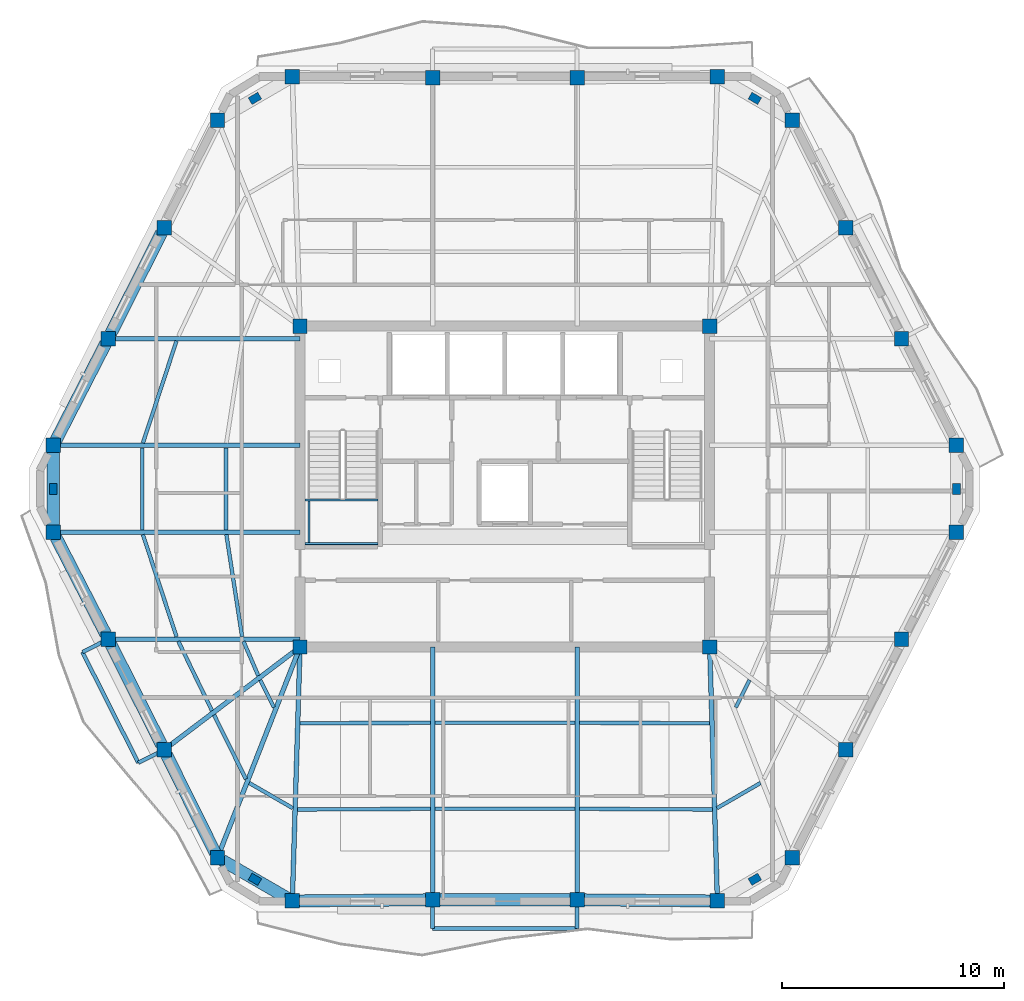
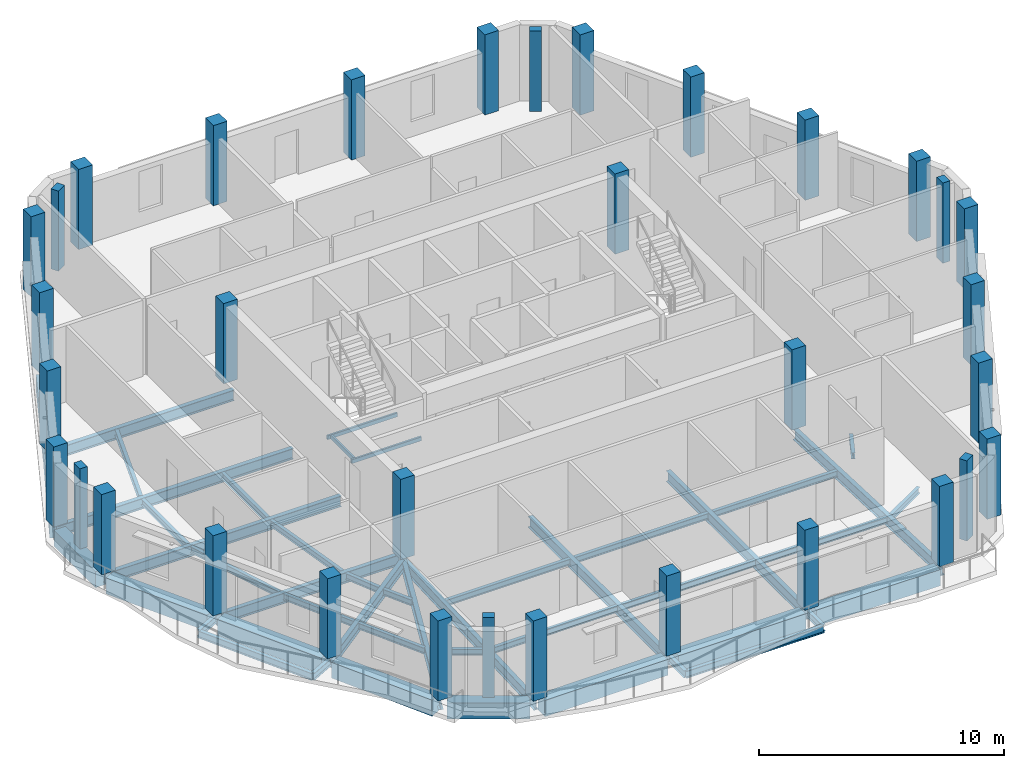
# One storey, part 1 of 10: 47 beams, 34 columns.
"""IFC4 building model written with IfcOpenShell, lengths in metres."""

from ifc_helpers import new_model, si_unit, direction, frame, origin, origin_2d, place, context, subcontext, project, spatial, rectangle, hollow_rectangle, i_section, extrude, material, material_profile, profile_set, type_object, element, save


model = new_model("IFC4")

# Units and contexts
model_context = context("Model", 3, precision=1e-05, world=origin(), true_north=direction((0.0, 1.0)))
body_context = subcontext(model_context, "Body", "Model", "MODEL_VIEW")
ifc_project = project(units=[si_unit("LENGTHUNIT", "METRE"), si_unit("AREAUNIT", "SQUARE_METRE"), si_unit("VOLUMEUNIT", "CUBIC_METRE"), si_unit("PLANEANGLEUNIT", "RADIAN"), si_unit("MASSUNIT", "GRAM", prefix="KILO")], contexts=[model_context])

# Site, building, storey
site_placement = place(None, origin())
site = spatial("IfcSite", under=ifc_project, at=site_placement, CompositionType="ELEMENT")
building_placement = place(site_placement, origin())
building = spatial("IfcBuilding", under=site, at=building_placement, Name="Cinnabar Lancet Tower", CompositionType="ELEMENT")
storey_placement = place(building_placement, frame((0.0, 0.0, 287.5)))
storey = spatial("IfcBuildingStorey", under=building, at=storey_placement, Name="L76", CompositionType="ELEMENT", Elevation=287.5)

# Columns
ifc_material_1 = material(Name="Concrete C50/60", Category="concrete")
ifc_material_profile_1 = material_profile(ifc_material_1, rectangle(XDim=0.64990234375, YDim=0.64990234375, at=origin_2d()), Name="RC-COL 650x650")
ifc_profile_set_1 = profile_set([ifc_material_profile_1], Name="Concrete C50/60")
column_type_1 = type_object("IfcColumnType", Name="STR-COL-CORE-650B", PredefinedType="COLUMN", material=ifc_profile_set_1)
for number, where, z_axis, x_axis, name in (
    (1, (23.175048828125, 18.675048828125, 0.0), (0.0, 0.0, 1.0), (1.0, 0.0, 0.0), "L76 Core Corner Column SW"),
    (2, (41.625, 18.675048828125, 0.0), (0.0, 0.0, 1.0), (1.0, 0.0, 0.0), "L76 Core Corner Column SE"),
    (3, (41.625, 33.125, 0.0), (0.0, 0.0, 1.0), (1.0, 0.0, 0.0), "L76 Core Corner Column NE"),
    (4, (23.175048828125, 33.125, 0.0), (0.0, 0.0, 1.0), (1.0, 0.0, 0.0), "L76 Core Corner Column NW"),
):
    element("IfcColumn", number, at=place(storey_placement, frame(where, z_axis=z_axis, x_axis=x_axis)), inside=storey, type_object=column_type_1, Name=name, PredefinedType="COLUMN", context=body_context, shape_type="SweptSolid", body=[
        extrude(rectangle(XDim=0.64990234375, YDim=0.64990234375, at=origin_2d()), origin(), (0.0, 0.0, 1.0), 4.0),
    ])
ifc_material_2 = material(Name="Concrete C60/75", Category="concrete")
ifc_material_profile_2 = material_profile(ifc_material_2, rectangle(XDim=0.5, YDim=0.35009765625, at=origin_2d()), Name="RC-PIL 500x350")
ifc_profile_set_2 = profile_set([ifc_material_profile_2], Name="Concrete C60/75")
column_type_2 = type_object("IfcColumnType", Name="STR-COL-PIL-500", PredefinedType="PILASTER", material=ifc_profile_set_2)
for number, where, z_axis, x_axis, name in (
    (5, (21.14306640625, 8.215087890625, 0.0), (0.0, 0.0, 1.0), (0.865256437757, -0.501329529272, 0.0), "L76 Chamfered Corner Pilaster 1"),
    (6, (43.656982421875, 8.215087890625, 0.0), (0.0, 0.0, 1.0), (0.865256437757, 0.501329529272, 0.0), "L76 Chamfered Corner Pilaster 2"),
    (7, (52.737060546875, 25.800048828125, 0.0), (0.0, 0.0, 1.0), (0.0, 1.0, 0.0), "L76 Chamfered Corner Pilaster 3"),
    (8, (43.656982421875, 43.385009765625, 0.0), (0.0, 0.0, 1.0), (-0.865256437757, 0.501329529272, 0.0), "L76 Chamfered Corner Pilaster 4"),
    (9, (21.14306640625, 43.385009765625, 0.0), (0.0, 0.0, 1.0), (-0.865256437757, -0.501329529272, 0.0), "L76 Chamfered Corner Pilaster 5"),
    (10, (12.06298828125, 25.800048828125, 0.0), (0.0, 0.0, 1.0), (0.0, -1.0, 0.0), "L76 Chamfered Corner Pilaster 6"),
):
    element("IfcColumn", number, at=place(storey_placement, frame(where, z_axis=z_axis, x_axis=x_axis)), inside=storey, type_object=column_type_2, Name=name, PredefinedType="PILASTER", context=body_context, shape_type="SweptSolid", body=[
        extrude(rectangle(XDim=0.5, YDim=0.35009765625, at=origin_2d()), origin(), (0.0, 0.0, 1.0), 4.0),
    ])
ifc_material_3 = material(Name="Concrete C50/60", Category="concrete")
ifc_material_profile_3 = material_profile(ifc_material_3, rectangle(XDim=0.64990234375, YDim=0.64990234375, at=origin_2d()), Name="RC-COL 650x650")
ifc_profile_set_3 = profile_set([ifc_material_profile_3], Name="Concrete C50/60")
column_type_3 = type_object("IfcColumnType", Name="STR-COL-TUBE-650", PredefinedType="COLUMN", material=ifc_profile_set_3)
for number, where, z_axis, x_axis, name in (
    (11, (22.827880859375, 7.239013671875, 0.0), (0.0, 0.0, 1.0), (1.0, 0.0, 0.0), "L76 Perimeter Tube Column 1"),
    (12, (29.14599609375, 7.2919921875, 0.0), (0.0, 0.0, 1.0), (1.0, 0.0, 0.0), "L76 Perimeter Tube Column 2"),
    (13, (35.654052734375, 7.2919921875, 0.0), (0.0, 0.0, 1.0), (1.0, 0.0, 0.0), "L76 Perimeter Tube Column 3"),
    (14, (41.971923828125, 7.239013671875, 0.0), (0.0, 0.0, 1.0), (1.0, 0.0, 0.0), "L76 Perimeter Tube Column 4"),
    (15, (45.341064453125, 9.19091796875, 0.0), (0.0, 0.0, 1.0), (1.0, 0.0, 0.0), "L76 Perimeter Tube Column 5"),
    (16, (47.7490234375, 14.0458984375, 0.0), (0.0, 0.0, 1.0), (1.0, 0.0, 0.0), "L76 Perimeter Tube Column 6"),
    (17, (50.263916015625, 19.032958984375, 0.0), (0.0, 0.0, 1.0), (1.0, 0.0, 0.0), "L76 Perimeter Tube Column 7"),
    (18, (52.737060546875, 23.844970703125, 0.0), (0.0, 0.0, 1.0), (1.0, 0.0, 0.0), "L76 Perimeter Tube Column 8"),
    (19, (52.737060546875, 27.7548828125, 0.0), (0.0, 0.0, 1.0), (1.0, 0.0, 0.0), "L76 Perimeter Tube Column 9"),
    (20, (50.263916015625, 32.56689453125, 0.0), (0.0, 0.0, 1.0), (1.0, 0.0, 0.0), "L76 Perimeter Tube Column 10"),
    (21, (47.7490234375, 37.553955078125, 0.0), (0.0, 0.0, 1.0), (1.0, 0.0, 0.0), "L76 Perimeter Tube Column 11"),
    (22, (45.341064453125, 42.408935546875, 0.0), (0.0, 0.0, 1.0), (1.0, 0.0, 0.0), "L76 Perimeter Tube Column 12"),
    (23, (41.971923828125, 44.361083984375, 0.0), (0.0, 0.0, 1.0), (1.0, 0.0, 0.0), "L76 Perimeter Tube Column 13"),
    (24, (35.654052734375, 44.30810546875, 0.0), (0.0, 0.0, 1.0), (1.0, 0.0, 0.0), "L76 Perimeter Tube Column 14"),
    (25, (29.14599609375, 44.30810546875, 0.0), (0.0, 0.0, 1.0), (1.0, 0.0, 0.0), "L76 Perimeter Tube Column 15"),
    (26, (22.827880859375, 44.361083984375, 0.0), (0.0, 0.0, 1.0), (1.0, 0.0, 0.0), "L76 Perimeter Tube Column 16"),
    (27, (19.458984375, 42.408935546875, 0.0), (0.0, 0.0, 1.0), (1.0, 0.0, 0.0), "L76 Perimeter Tube Column 17"),
    (28, (17.051025390625, 37.553955078125, 0.0), (0.0, 0.0, 1.0), (1.0, 0.0, 0.0), "L76 Perimeter Tube Column 18"),
    (29, (14.535888671875, 32.56689453125, 0.0), (0.0, 0.0, 1.0), (1.0, 0.0, 0.0), "L76 Perimeter Tube Column 19"),
    (30, (12.06298828125, 27.7548828125, 0.0), (0.0, 0.0, 1.0), (1.0, 0.0, 0.0), "L76 Perimeter Tube Column 20"),
    (31, (12.06298828125, 23.844970703125, 0.0), (0.0, 0.0, 1.0), (1.0, 0.0, 0.0), "L76 Perimeter Tube Column 21"),
    (32, (14.535888671875, 19.032958984375, 0.0), (0.0, 0.0, 1.0), (1.0, 0.0, 0.0), "L76 Perimeter Tube Column 22"),
    (33, (17.051025390625, 14.0458984375, 0.0), (0.0, 0.0, 1.0), (1.0, 0.0, 0.0), "L76 Perimeter Tube Column 23"),
    (34, (19.458984375, 9.19091796875, 0.0), (0.0, 0.0, 1.0), (1.0, 0.0, 0.0), "L76 Perimeter Tube Column 24"),
):
    element("IfcColumn", number, at=place(storey_placement, frame(where, z_axis=z_axis, x_axis=x_axis)), inside=storey, type_object=column_type_3, Name=name, PredefinedType="COLUMN", context=body_context, shape_type="SweptSolid", body=[
        extrude(rectangle(XDim=0.64990234375, YDim=0.64990234375, at=origin_2d()), origin(), (0.0, 0.0, 1.0), 4.0),
    ])

# Beams
ifc_material_4 = material(Name="Structural steel S355", Category="steel")
ifc_material_profile_4 = material_profile(ifc_material_4, i_section(OverallWidth=0.1650390625, OverallDepth=0.303466796875, WebThickness=0.006103515625, FlangeThickness=0.01025390625, FilletRadius=0.0087890625, at=origin_2d()), Name="UKB 305x165x40")
ifc_profile_set_4 = profile_set([ifc_material_profile_4], Name="Structural steel S355")
beam_type_1 = type_object("IfcBeamType", Name="STR-BM-JST-305", PredefinedType="JOIST", material=ifc_profile_set_4)
beam_1_placement = place(storey_placement, frame((16.097900390625, 23.739990234375, -0.35205078125), z_axis=(0.312536616989, -0.949905712711, 0.0), x_axis=(0.949905712711, 0.312536616989, 0.0)))
element("IfcBeam", 35, at=beam_1_placement, inside=storey, type_object=beam_type_1, Name="L76 Secondary Floor Joist 1", PredefinedType="JOIST", context=body_context, shape_type="SweptSolid", body=[
    extrude(i_section(OverallWidth=0.1650390625, OverallDepth=0.303466796875, WebThickness=0.006103515625, FlangeThickness=0.01025390625, FilletRadius=0.0087890625, at=origin_2d()), origin(), (0.0, 0.0, 1.0), 4.8447265625),
])
beam_2_placement = place(storey_placement, frame((19.85791015625, 23.739990234375, -0.35205078125), z_axis=(0.152262059154, -0.988340156698, 0.0), x_axis=(0.988340156698, 0.152262059154, 0.0)))
element("IfcBeam", 36, at=beam_2_placement, inside=storey, type_object=beam_type_1, Name="L76 Secondary Floor Joist 2", PredefinedType="JOIST", context=body_context, shape_type="SweptSolid", body=[
    extrude(i_section(OverallWidth=0.1650390625, OverallDepth=0.303466796875, WebThickness=0.006103515625, FlangeThickness=0.01025390625, FilletRadius=0.0087890625, at=origin_2d()), origin(), (0.0, 0.0, 1.0), 4.65625),
])
beam_3_placement = place(storey_placement, frame((17.697021484375, 18.927978515625, -0.35205078125), z_axis=(0.43610936109, -0.899893674369, 0.0), x_axis=(0.899893674369, 0.43610936109, 0.0)))
element("IfcBeam", 37, at=beam_3_placement, inside=storey, type_object=beam_type_1, Name="L76 Secondary Floor Joist 3", PredefinedType="JOIST", context=body_context, shape_type="SweptSolid", body=[
    extrude(i_section(OverallWidth=0.1650390625, OverallDepth=0.303466796875, WebThickness=0.006103515625, FlangeThickness=0.01025390625, FilletRadius=0.0087890625, at=origin_2d()), origin(), (0.0, 0.0, 1.0), 3.467041015625),
])
beam_4_placement = place(storey_placement, frame((20.62890625, 18.927978515625, -0.35205078125), z_axis=(0.396302440144, -0.91812002262, 0.0), x_axis=(0.91812002262, 0.396302440144, 0.0)))
element("IfcBeam", 38, at=beam_4_placement, inside=storey, type_object=beam_type_1, Name="L76 Secondary Floor Joist 4", PredefinedType="JOIST", context=body_context, shape_type="SweptSolid", body=[
    extrude(i_section(OverallWidth=0.1650390625, OverallDepth=0.303466796875, WebThickness=0.006103515625, FlangeThickness=0.01025390625, FilletRadius=0.0087890625, at=origin_2d()), origin(), (0.0, 0.0, 1.0), 1.6806640625),
])
beam_5_placement = place(storey_placement, frame((19.302978515625, 15.616943359375, -0.35205078125), z_axis=(0.444330443712, -0.895862967641, 0.0), x_axis=(0.895862967641, 0.444330443712, 0.0)))
element("IfcBeam", 39, at=beam_5_placement, inside=storey, type_object=beam_type_1, Name="L76 Secondary Floor Joist 5", PredefinedType="JOIST", context=body_context, shape_type="SweptSolid", body=[
    extrude(i_section(OverallWidth=0.1650390625, OverallDepth=0.303466796875, WebThickness=0.006103515625, FlangeThickness=0.01025390625, FilletRadius=0.0087890625, at=origin_2d()), origin(), (0.0, 0.0, 1.0), 3.220458984375),
])
beam_6_placement = place(storey_placement, frame((21.385009765625, 17.19091796875, -0.35205078125), z_axis=(0.444093192127, -0.89598060063, 0.0), x_axis=(0.89598060063, 0.444093192127, 0.0)))
element("IfcBeam", 40, at=beam_6_placement, inside=storey, type_object=beam_type_1, Name="L76 Secondary Floor Joist 6", PredefinedType="JOIST", context=body_context, shape_type="SweptSolid", body=[
    extrude(i_section(OverallWidth=0.1650390625, OverallDepth=0.303466796875, WebThickness=0.006103515625, FlangeThickness=0.01025390625, FilletRadius=0.0087890625, at=origin_2d()), origin(), (0.0, 0.0, 1.0), 1.378173828125),
])
beam_7_placement = place(storey_placement, frame((20.887939453125, 12.552001953125, -0.35205078125), z_axis=(0.865426285481, -0.501036270542, 0.0), x_axis=(0.501036270542, 0.865426285481, 0.0)))
element("IfcBeam", 41, at=beam_7_placement, inside=storey, type_object=beam_type_1, Name="L76 Secondary Floor Joist 7", PredefinedType="JOIST", context=body_context, shape_type="SweptSolid", body=[
    extrude(i_section(OverallWidth=0.1650390625, OverallDepth=0.303466796875, WebThickness=0.006103515625, FlangeThickness=0.01025390625, FilletRadius=0.0087890625, at=origin_2d()), origin(), (0.0, 0.0, 1.0), 2.267333984375),
])
beam_8_placement = place(storey_placement, frame((23.05810546875, 11.35693359375, -0.35205078125), z_axis=(0.999985712428, 0.005345553266, 0.0), x_axis=(-0.005345553266, 0.999985712428, 0.0)))
element("IfcBeam", 42, at=beam_8_placement, inside=storey, type_object=beam_type_1, Name="L76 Secondary Floor Joist 8", PredefinedType="JOIST", context=body_context, shape_type="SweptSolid", body=[
    extrude(i_section(OverallWidth=0.1650390625, OverallDepth=0.303466796875, WebThickness=0.006103515625, FlangeThickness=0.01025390625, FilletRadius=0.0087890625, at=origin_2d()), origin(), (0.0, 0.0, 1.0), 5.98291015625),
])
beam_9_placement = place(storey_placement, frame((23.176025390625, 15.243896484375, -0.35205078125), z_axis=(0.999996226008, 0.002747356738, 0.0), x_axis=(-0.002747356738, 0.999996226008, 0.0)))
element("IfcBeam", 43, at=beam_9_placement, inside=storey, type_object=beam_type_1, Name="L76 Secondary Floor Joist 9", PredefinedType="JOIST", context=body_context, shape_type="SweptSolid", body=[
    extrude(i_section(OverallWidth=0.1650390625, OverallDepth=0.303466796875, WebThickness=0.006103515625, FlangeThickness=0.01025390625, FilletRadius=0.0087890625, at=origin_2d()), origin(), (0.0, 0.0, 1.0), 5.864990234375),
])
for number, where, z_axis, x_axis, name in (
    (44, (29.2509765625, 11.389892578125, -0.35205078125), (1.0, 0.0, 0.0), (0.0, 1.0, 0.0), "L76 Secondary Floor Joist 10"),
    (45, (29.2509765625, 15.260009765625, -0.35205078125), (1.0, 0.0, 0.0), (0.0, 1.0, 0.0), "L76 Secondary Floor Joist 11"),
):
    element("IfcBeam", number, at=place(storey_placement, frame(where, z_axis=z_axis, x_axis=x_axis)), inside=storey, type_object=beam_type_1, Name=name, PredefinedType="JOIST", context=body_context, shape_type="SweptSolid", body=[
        extrude(i_section(OverallWidth=0.1650390625, OverallDepth=0.303466796875, WebThickness=0.006103515625, FlangeThickness=0.01025390625, FilletRadius=0.0087890625, at=origin_2d()), origin(), (0.0, 0.0, 1.0), 6.298095703125),
    ])
beam_10_placement = place(storey_placement, frame((35.759033203125, 11.388916015625, -0.35205078125), z_axis=(0.999985712428, -0.005345553266, 0.0), x_axis=(0.005345553266, 0.999985712428, 0.0)))
element("IfcBeam", 46, at=beam_10_placement, inside=storey, type_object=beam_type_1, Name="L76 Secondary Floor Joist 12", PredefinedType="JOIST", context=body_context, shape_type="SweptSolid", body=[
    extrude(i_section(OverallWidth=0.1650390625, OverallDepth=0.303466796875, WebThickness=0.006103515625, FlangeThickness=0.01025390625, FilletRadius=0.0087890625, at=origin_2d()), origin(), (0.0, 0.0, 1.0), 5.98291015625),
])
beam_11_placement = place(storey_placement, frame((35.759033203125, 15.260009765625, -0.35205078125), z_axis=(0.999996226008, -0.002747356738, 0.0), x_axis=(0.002747356738, 0.999996226008, 0.0)))
element("IfcBeam", 47, at=beam_11_placement, inside=storey, type_object=beam_type_1, Name="L76 Secondary Floor Joist 13", PredefinedType="JOIST", context=body_context, shape_type="SweptSolid", body=[
    extrude(i_section(OverallWidth=0.1650390625, OverallDepth=0.303466796875, WebThickness=0.006103515625, FlangeThickness=0.01025390625, FilletRadius=0.0087890625, at=origin_2d()), origin(), (0.0, 0.0, 1.0), 5.864990234375),
])
beam_12_placement = place(storey_placement, frame((41.949951171875, 11.416015625, -0.35205078125), z_axis=(0.865426285481, 0.501036270542, 0.0), x_axis=(-0.501036270542, 0.865426285481, 0.0)))
element("IfcBeam", 48, at=beam_12_placement, inside=storey, type_object=beam_type_1, Name="L76 Secondary Floor Joist 14", PredefinedType="JOIST", context=body_context, shape_type="SweptSolid", body=[
    extrude(i_section(OverallWidth=0.1650390625, OverallDepth=0.303466796875, WebThickness=0.006103515625, FlangeThickness=0.01025390625, FilletRadius=0.0087890625, at=origin_2d()), origin(), (0.0, 0.0, 1.0), 2.267333984375),
])
beam_13_placement = place(storey_placement, frame((42.802978515625, 15.9560546875, -0.35205078125), z_axis=(0.444093192127, 0.89598060063, 0.0), x_axis=(-0.89598060063, 0.444093192127, 0.0)))
element("IfcBeam", 49, at=beam_13_placement, inside=storey, type_object=beam_type_1, Name="L76 Secondary Floor Joist 16", PredefinedType="JOIST", context=body_context, shape_type="SweptSolid", body=[
    extrude(i_section(OverallWidth=0.1650390625, OverallDepth=0.303466796875, WebThickness=0.006103515625, FlangeThickness=0.01025390625, FilletRadius=0.0087890625, at=origin_2d()), origin(), (0.0, 0.0, 1.0), 1.378173828125),
])
beam_14_placement = place(storey_placement, frame((17.612060546875, 32.4619140625, -0.35205078125), z_axis=(-0.312551578319, -0.949900790025, 0.0), x_axis=(0.949900790025, -0.312551578319, 0.0)))
element("IfcBeam", 50, at=beam_14_placement, inside=storey, type_object=beam_type_1, Name="L76 Secondary Floor Joist 41", PredefinedType="JOIST", context=body_context, shape_type="SweptSolid", body=[
    extrude(i_section(OverallWidth=0.1650390625, OverallDepth=0.303466796875, WebThickness=0.006103515625, FlangeThickness=0.01025390625, FilletRadius=0.0087890625, at=origin_2d()), origin(), (0.0, 0.0, 1.0), 4.844482421875),
])
for number, where, z_axis, x_axis, name in (
    (51, (16.06298828125, 27.64990234375, -0.35205078125), (0.0, -1.0, 0.0), (1.0, 0.0, 0.0), "L76 Secondary Floor Joist 43"),
    (52, (19.841064453125, 27.64990234375, -0.35205078125), (0.0, -1.0, 0.0), (1.0, 0.0, 0.0), "L76 Secondary Floor Joist 44"),
):
    element("IfcBeam", number, at=place(storey_placement, frame(where, z_axis=z_axis, x_axis=x_axis)), inside=storey, type_object=beam_type_1, Name=name, PredefinedType="JOIST", context=body_context, shape_type="SweptSolid", body=[
        extrude(i_section(OverallWidth=0.1650390625, OverallDepth=0.303466796875, WebThickness=0.006103515625, FlangeThickness=0.01025390625, FilletRadius=0.0087890625, at=origin_2d()), origin(), (0.0, 0.0, 1.0), 3.699951171875),
    ])
ifc_material_5 = material(Name="Structural steel S355", Category="steel")
ifc_material_profile_5 = material_profile(ifc_material_5, hollow_rectangle(XDim=0.10009765625, YDim=0.199951171875, WallThickness=0.008056640625, InnerFilletRadius=0.00390625, OuterFilletRadius=0.011962890625, at=origin_2d()), Name="RHS 200x100x8")
ifc_profile_set_5 = profile_set([ifc_material_profile_5], Name="Structural steel S355")
beam_type_2 = type_object("IfcBeamType", Name="STR-BM-LND-203", PredefinedType="BEAM", material=ifc_profile_set_5)
for number, where, z_axis, x_axis, name in (
    (53, (23.39990234375, 23.330078125, 1.699951171875), (1.0, 0.0, 0.0), (0.0, 1.0, 0.0), "L76 ST-1-L76 Landing Support Beam S"),
    (54, (23.39990234375, 25.294921875, 1.699951171875), (1.0, 0.0, 0.0), (0.0, 1.0, 0.0), "L76 ST-1-L76 Landing Support Beam N"),
):
    element("IfcBeam", number, at=place(storey_placement, frame(where, z_axis=z_axis, x_axis=x_axis)), inside=storey, type_object=beam_type_2, Name=name, PredefinedType="BEAM", context=body_context, shape_type="SweptSolid", body=[
        extrude(hollow_rectangle(XDim=0.10009765625, YDim=0.199951171875, WallThickness=0.008056640625, InnerFilletRadius=0.00390625, OuterFilletRadius=0.011962890625, at=origin_2d()), origin(), (0.0, 0.0, 1.0), 3.280029296875),
    ])
beam_15_placement = place(storey_placement, frame((23.580078125, 23.3798828125, 1.699951171875), z_axis=(0.0, 1.0, 0.0), x_axis=(-1.0, 0.0, 0.0)))
element("IfcBeam", 55, at=beam_15_placement, inside=storey, type_object=beam_type_2, Name="L76 ST-1-L76 Landing Side Trimmer Beam", PredefinedType="BEAM", context=body_context, shape_type="SweptSolid", body=[
    extrude(hollow_rectangle(XDim=0.10009765625, YDim=0.199951171875, WallThickness=0.008056640625, InnerFilletRadius=0.00390625, OuterFilletRadius=0.011962890625, at=origin_2d()), origin(), (0.0, 0.0, 1.0), 1.865234375),
])
ifc_material_6 = material(Name="Concrete C50/60", Category="concrete")
ifc_material_profile_6 = material_profile(ifc_material_6, rectangle(XDim=0.550048828125, YDim=0.800048828125, at=origin_2d()), Name="RC-SB 550x800")
ifc_profile_set_6 = profile_set([ifc_material_profile_6], Name="Concrete C50/60")
beam_type_3 = type_object("IfcBeamType", Name="STR-BM-RCSB-800", PredefinedType="SPANDREL", material=ifc_profile_set_6)
beam_16_placement = place(storey_placement, frame((23.077880859375, 7.240966796875, -0.60009765625), z_axis=(0.999964432412, 0.008434092187, 0.0), x_axis=(-0.008434092187, 0.999964432412, 0.0)))
element("IfcBeam", 56, at=beam_16_placement, inside=storey, type_object=beam_type_3, Name="L76 Perimeter Spandrel 1", PredefinedType="SPANDREL", context=body_context, shape_type="SweptSolid", body=[
    extrude(rectangle(XDim=0.550048828125, YDim=0.800048828125, at=origin_2d()), origin(), (0.0, 0.0, 1.0), 5.818359375),
])
beam_17_placement = place(storey_placement, frame((29.39599609375, 7.2919921875, -0.60009765625), z_axis=(1.0, 0.0, 0.0), x_axis=(0.0, 1.0, 0.0)))
element("IfcBeam", 57, at=beam_17_placement, inside=storey, type_object=beam_type_3, Name="L76 Perimeter Spandrel 2", PredefinedType="SPANDREL", context=body_context, shape_type="SweptSolid", body=[
    extrude(rectangle(XDim=0.550048828125, YDim=0.800048828125, at=origin_2d()), origin(), (0.0, 0.0, 1.0), 6.008056640625),
])
beam_18_placement = place(storey_placement, frame((35.904052734375, 7.2900390625, -0.60009765625), z_axis=(0.999964429427, -0.00843444609, 0.0), x_axis=(0.00843444609, 0.999964429427, 0.0)))
element("IfcBeam", 58, at=beam_18_placement, inside=storey, type_object=beam_type_3, Name="L76 Perimeter Spandrel 3", PredefinedType="SPANDREL", context=body_context, shape_type="SweptSolid", body=[
    extrude(rectangle(XDim=0.550048828125, YDim=0.800048828125, at=origin_2d()), origin(), (0.0, 0.0, 1.0), 5.818115234375),
])
beam_19_placement = place(storey_placement, frame((16.93798828125, 37.3310546875, -0.60009765625), z_axis=(-0.450130146726, -0.892962961722, 0.0), x_axis=(0.892962961722, -0.450130146726, 0.0)))
element("IfcBeam", 59, at=beam_19_placement, inside=storey, type_object=beam_type_3, Name="L76 Perimeter Spandrel 18", PredefinedType="SPANDREL", context=body_context, shape_type="SweptSolid", body=[
    extrude(rectangle(XDim=0.550048828125, YDim=0.800048828125, at=origin_2d()), origin(), (0.0, 0.0, 1.0), 5.08544921875),
])
beam_20_placement = place(storey_placement, frame((14.422119140625, 32.344970703125, -0.60009765625), z_axis=(-0.457148063427, -0.889390604912, 0.0), x_axis=(0.889390604912, -0.457148063427, 0.0)))
element("IfcBeam", 60, at=beam_20_placement, inside=storey, type_object=beam_type_3, Name="L76 Perimeter Spandrel 19", PredefinedType="SPANDREL", context=body_context, shape_type="SweptSolid", body=[
    extrude(rectangle(XDim=0.550048828125, YDim=0.800048828125, at=origin_2d()), origin(), (0.0, 0.0, 1.0), 4.9111328125),
])
beam_21_placement = place(storey_placement, frame((12.06298828125, 27.5048828125, -0.60009765625), z_axis=(0.0, -1.0, 0.0), x_axis=(1.0, 0.0, 0.0)))
element("IfcBeam", 61, at=beam_21_placement, inside=storey, type_object=beam_type_3, Name="L76 Perimeter Spandrel 20", PredefinedType="SPANDREL", context=body_context, shape_type="SweptSolid", body=[
    extrude(rectangle(XDim=0.550048828125, YDim=0.800048828125, at=origin_2d()), origin(), (0.0, 0.0, 1.0), 3.409912109375),
])
beam_22_placement = place(storey_placement, frame((12.177001953125, 23.623046875, -0.60009765625), z_axis=(0.457127852293, -0.889400993174, 0.0), x_axis=(0.889400993174, 0.457127852293, 0.0)))
element("IfcBeam", 62, at=beam_22_placement, inside=storey, type_object=beam_type_3, Name="L76 Perimeter Spandrel 21", PredefinedType="SPANDREL", context=body_context, shape_type="SweptSolid", body=[
    extrude(rectangle(XDim=0.550048828125, YDim=0.800048828125, at=origin_2d()), origin(), (0.0, 0.0, 1.0), 4.911376953125),
])
beam_23_placement = place(storey_placement, frame((14.64892578125, 18.81005859375, -0.60009765625), z_axis=(0.450130146726, -0.892962961722, 0.0), x_axis=(0.892962961722, 0.450130146726, 0.0)))
element("IfcBeam", 63, at=beam_23_placement, inside=storey, type_object=beam_type_3, Name="L76 Perimeter Spandrel 22", PredefinedType="SPANDREL", context=body_context, shape_type="SweptSolid", body=[
    extrude(rectangle(XDim=0.550048828125, YDim=0.800048828125, at=origin_2d()), origin(), (0.0, 0.0, 1.0), 5.08544921875),
])
beam_24_placement = place(storey_placement, frame((17.162109375, 13.822021484375, -0.60009765625), z_axis=(0.44433276947, -0.895861814107, 0.0), x_axis=(0.895861814107, 0.44433276947, 0.0)))
element("IfcBeam", 64, at=beam_24_placement, inside=storey, type_object=beam_type_3, Name="L76 Perimeter Spandrel 23", PredefinedType="SPANDREL", context=body_context, shape_type="SweptSolid", body=[
    extrude(rectangle(XDim=0.550048828125, YDim=0.800048828125, at=origin_2d()), origin(), (0.0, 0.0, 1.0), 4.919189453125),
])
beam_25_placement = place(storey_placement, frame((19.675048828125, 9.06591796875, -0.60009765625), z_axis=(0.865230894194, -0.50137361292, 0.0), x_axis=(0.50137361292, 0.865230894194, 0.0)))
element("IfcBeam", 65, at=beam_25_placement, inside=storey, type_object=beam_type_3, Name="L76 Perimeter Spandrel 24", PredefinedType="SPANDREL", context=body_context, shape_type="SweptSolid", body=[
    extrude(rectangle(XDim=0.550048828125, YDim=0.800048828125, at=origin_2d()), origin(), (0.0, 0.0, 1.0), 3.39453125),
])
ifc_material_7 = material(Name="Structural steel S355", Category="steel")
ifc_material_profile_7 = material_profile(ifc_material_7, i_section(OverallWidth=0.209228515625, OverallDepth=0.533203125, WebThickness=0.010009765625, FlangeThickness=0.015625, FilletRadius=0.0126953125, at=origin_2d()), Name="UKB 533x210x92")
ifc_profile_set_7 = profile_set([ifc_material_profile_7], Name="Structural steel S355")
beam_type_4 = type_object("IfcBeamType", Name="STR-BM-UKB533-92", PredefinedType="BEAM", material=ifc_profile_set_7)
beam_26_placement = place(storey_placement, frame((17.051025390625, 14.0458984375, -0.467041015625), z_axis=(0.797735075719, 0.603008083667, 0.0), x_axis=(-0.603008083667, 0.797735075719, 0.0)))
element("IfcBeam", 66, at=beam_26_placement, inside=storey, type_object=beam_type_4, Name="L76 Corner Collector Girder 1", PredefinedType="BEAM", context=body_context, shape_type="SweptSolid", body=[
    extrude(i_section(OverallWidth=0.209228515625, OverallDepth=0.533203125, WebThickness=0.010009765625, FlangeThickness=0.015625, FilletRadius=0.0126953125, at=origin_2d()), origin(), (0.0, 0.0, 1.0), 7.6767578125),
])
beam_27_placement = place(storey_placement, frame((22.827880859375, 7.239013671875, -0.467041015625), z_axis=(0.030343393029, 0.999539533235, 0.0), x_axis=(-0.999539533235, 0.030343393029, 0.0)))
element("IfcBeam", 67, at=beam_27_placement, inside=storey, type_object=beam_type_4, Name="L76 Primary Floor Girder 1", PredefinedType="BEAM", context=body_context, shape_type="SweptSolid", body=[
    extrude(i_section(OverallWidth=0.209228515625, OverallDepth=0.533203125, WebThickness=0.010009765625, FlangeThickness=0.015625, FilletRadius=0.0126953125, at=origin_2d()), origin(), (0.0, 0.0, 1.0), 11.44140625),
])
for number, where, z_axis, x_axis, name in (
    (68, (29.14599609375, 7.2919921875, -0.467041015625), (0.0, 1.0, 0.0), (-1.0, 0.0, 0.0), "L76 Primary Floor Girder 2"),
    (69, (35.654052734375, 7.2919921875, -0.467041015625), (0.0, 1.0, 0.0), (-1.0, 0.0, 0.0), "L76 Primary Floor Girder 3"),
):
    element("IfcBeam", number, at=place(storey_placement, frame(where, z_axis=z_axis, x_axis=x_axis)), inside=storey, type_object=beam_type_4, Name=name, PredefinedType="BEAM", context=body_context, shape_type="SweptSolid", body=[
        extrude(i_section(OverallWidth=0.209228515625, OverallDepth=0.533203125, WebThickness=0.010009765625, FlangeThickness=0.015625, FilletRadius=0.0126953125, at=origin_2d()), origin(), (0.0, 0.0, 1.0), 11.383056640625),
    ])
beam_28_placement = place(storey_placement, frame((41.971923828125, 7.239013671875, -0.467041015625), z_axis=(-0.030322074123, 0.999540180193, 0.0), x_axis=(-0.999540180193, -0.030322074123, 0.0)))
element("IfcBeam", 70, at=beam_28_placement, inside=storey, type_object=beam_type_4, Name="L76 Primary Floor Girder 4", PredefinedType="BEAM", context=body_context, shape_type="SweptSolid", body=[
    extrude(i_section(OverallWidth=0.209228515625, OverallDepth=0.533203125, WebThickness=0.010009765625, FlangeThickness=0.015625, FilletRadius=0.0126953125, at=origin_2d()), origin(), (0.0, 0.0, 1.0), 11.44140625),
])
beam_29_placement = place(storey_placement, frame((14.535888671875, 32.56689453125, -0.467041015625), z_axis=(1.0, 0.0, 0.0), x_axis=(0.0, 1.0, 0.0)))
element("IfcBeam", 71, at=beam_29_placement, inside=storey, type_object=beam_type_4, Name="L76 Primary Floor Girder 19", PredefinedType="BEAM", context=body_context, shape_type="SweptSolid", body=[
    extrude(i_section(OverallWidth=0.209228515625, OverallDepth=0.533203125, WebThickness=0.010009765625, FlangeThickness=0.015625, FilletRadius=0.0126953125, at=origin_2d()), origin(), (0.0, 0.0, 1.0), 8.63916015625),
])
for number, where, z_axis, x_axis, name in (
    (72, (12.06298828125, 27.7548828125, -0.467041015625), (1.0, 0.0, 0.0), (0.0, 1.0, 0.0), "L76 Primary Floor Girder 20"),
    (73, (12.06298828125, 23.844970703125, -0.467041015625), (1.0, 0.0, 0.0), (0.0, 1.0, 0.0), "L76 Primary Floor Girder 21"),
):
    element("IfcBeam", number, at=place(storey_placement, frame(where, z_axis=z_axis, x_axis=x_axis)), inside=storey, type_object=beam_type_4, Name=name, PredefinedType="BEAM", context=body_context, shape_type="SweptSolid", body=[
        extrude(i_section(OverallWidth=0.209228515625, OverallDepth=0.533203125, WebThickness=0.010009765625, FlangeThickness=0.015625, FilletRadius=0.0126953125, at=origin_2d()), origin(), (0.0, 0.0, 1.0), 11.112060546875),
    ])
beam_30_placement = place(storey_placement, frame((14.535888671875, 19.032958984375, -0.467041015625), z_axis=(1.0, 0.0, 0.0), x_axis=(0.0, 1.0, 0.0)))
element("IfcBeam", 74, at=beam_30_placement, inside=storey, type_object=beam_type_4, Name="L76 Primary Floor Girder 22", PredefinedType="BEAM", context=body_context, shape_type="SweptSolid", body=[
    extrude(i_section(OverallWidth=0.209228515625, OverallDepth=0.533203125, WebThickness=0.010009765625, FlangeThickness=0.015625, FilletRadius=0.0126953125, at=origin_2d()), origin(), (0.0, 0.0, 1.0), 8.63916015625),
])
beam_31_placement = place(storey_placement, frame((19.458984375, 9.19091796875, -0.467041015625), z_axis=(0.364815017375, 0.931080019707, 0.0), x_axis=(-0.931080019707, 0.364815017375, 0.0)))
element("IfcBeam", 75, at=beam_31_placement, inside=storey, type_object=beam_type_4, Name="L76 Primary Floor Girder 24", PredefinedType="BEAM", context=body_context, shape_type="SweptSolid", body=[
    extrude(i_section(OverallWidth=0.209228515625, OverallDepth=0.533203125, WebThickness=0.010009765625, FlangeThickness=0.015625, FilletRadius=0.0126953125, at=origin_2d()), origin(), (0.0, 0.0, 1.0), 10.186279296875),
])
ifc_material_8 = material(Name="Structural steel S355", Category="steel")
ifc_material_profile_8 = material_profile(ifc_material_8, i_section(OverallWidth=0.17138671875, OverallDepth=0.35498046875, WebThickness=0.00732421875, FlangeThickness=0.011474609375, FilletRadius=0.01025390625, at=origin_2d()), Name="UKB 356x171x51")
ifc_profile_set_8 = profile_set([ifc_material_profile_8], Name="Structural steel S355")
beam_type_5 = type_object("IfcBeamType", Name="STR-BM-WAV-OUT", PredefinedType="BEAM", material=ifc_profile_set_8)
for number, where, z_axis, x_axis, name in (
    (76, (29.14599609375, 7.2919921875, -0.39794921875), (0.0, -1.0, 0.0), (1.0, 0.0, 0.0), "L76 Face 1 Balcony Outlooker A"),
    (77, (35.654052734375, 7.2919921875, -0.39794921875), (0.0, -1.0, 0.0), (1.0, 0.0, 0.0), "L76 Face 1 Balcony Outlooker B"),
    (78, (14.535888671875, 19.032958984375, -0.39794921875), (-0.89227592947, -0.451490493464, 0.0), (0.451490493464, -0.89227592947, 0.0), "L76 Face 6 Balcony Outlooker A"),
    (79, (17.051025390625, 14.0458984375, -0.39794921875), (-0.89227592947, -0.451490493464, 0.0), (0.451490493464, -0.89227592947, 0.0), "L76 Face 6 Balcony Outlooker B"),
):
    element("IfcBeam", number, at=place(storey_placement, frame(where, z_axis=z_axis, x_axis=x_axis)), inside=storey, type_object=beam_type_5, Name=name, PredefinedType="BEAM", context=body_context, shape_type="SweptSolid", body=[
        extrude(i_section(OverallWidth=0.17138671875, OverallDepth=0.35498046875, WebThickness=0.00732421875, FlangeThickness=0.011474609375, FilletRadius=0.01025390625, at=origin_2d()), origin(), (0.0, 0.0, 1.0), 1.300048828125),
    ])
ifc_material_9 = material(Name="Structural steel S355", Category="steel")
ifc_material_profile_9 = material_profile(ifc_material_9, i_section(OverallWidth=0.17138671875, OverallDepth=0.35498046875, WebThickness=0.00732421875, FlangeThickness=0.011474609375, FilletRadius=0.01025390625, at=origin_2d()), Name="UKB 356x171x51")
ifc_profile_set_9 = profile_set([ifc_material_profile_9], Name="Structural steel S355")
beam_type_6 = type_object("IfcBeamType", Name="STR-BM-WAV-TRIM", PredefinedType="SPANDREL", material=ifc_profile_set_9)
beam_32_placement = place(storey_placement, frame((29.14599609375, 5.991943359375, -0.39794921875), z_axis=(1.0, 0.0, 0.0), x_axis=(0.0, 1.0, 0.0)))
element("IfcBeam", 80, at=beam_32_placement, inside=storey, type_object=beam_type_6, Name="L76 Face 1 Balcony Edge Trimmer", PredefinedType="SPANDREL", context=body_context, shape_type="SweptSolid", body=[
    extrude(i_section(OverallWidth=0.17138671875, OverallDepth=0.35498046875, WebThickness=0.00732421875, FlangeThickness=0.011474609375, FilletRadius=0.01025390625, at=origin_2d()), origin(), (0.0, 0.0, 1.0), 6.508056640625),
])
beam_33_placement = place(storey_placement, frame((13.3759765625, 18.446044921875, -0.39794921875), z_axis=(0.450305622338, -0.892874485295, 0.0), x_axis=(0.892874485295, 0.450305622338, 0.0)))
element("IfcBeam", 81, at=beam_33_placement, inside=storey, type_object=beam_type_6, Name="L76 Face 6 Balcony Edge Trimmer", PredefinedType="SPANDREL", context=body_context, shape_type="SweptSolid", body=[
    extrude(i_section(OverallWidth=0.17138671875, OverallDepth=0.35498046875, WebThickness=0.00732421875, FlangeThickness=0.011474609375, FilletRadius=0.01025390625, at=origin_2d()), origin(), (0.0, 0.0, 1.0), 5.58544921875),
])

save(model, "model.ifc")
